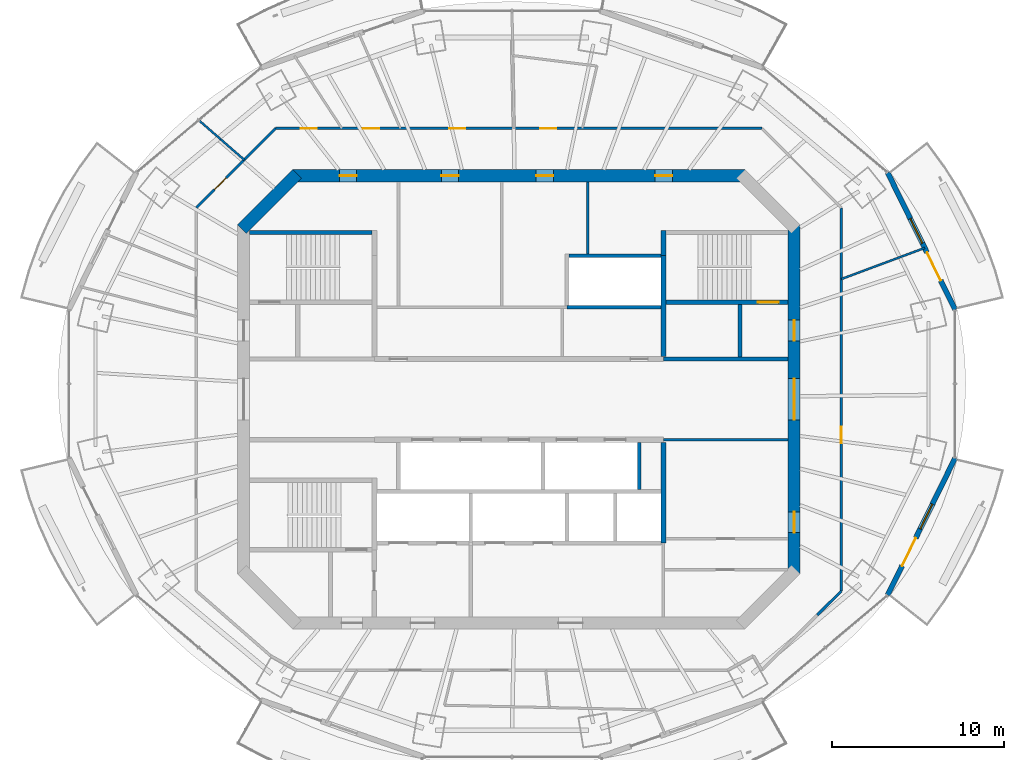
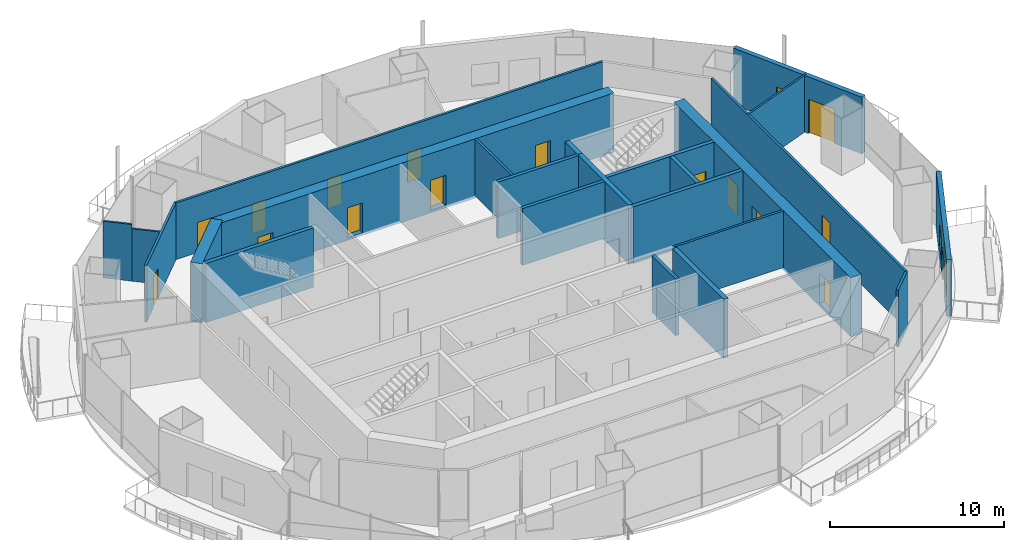
# One storey, part 10 of 16: 24 walls, 16 doors, 2 windows, 18 openings.
"""IFC4 building model written with IfcOpenShell, lengths in metres."""

from ifc_helpers import new_model, si_unit, direction, frame, frame_2d, origin, place, context, subcontext, project, spatial, rectangle, extrude, material, layer, layer_set, type_object, element, fill, save


model = new_model("IFC4")

# Units and contexts
model_context = context("Model", 3, precision=1e-05, world=origin(), true_north=direction((0.0, 1.0)))
body_context = subcontext(model_context, "Body", "Model", "MODEL_VIEW")
ifc_project = project(units=[si_unit("LENGTHUNIT", "METRE"), si_unit("AREAUNIT", "SQUARE_METRE"), si_unit("VOLUMEUNIT", "CUBIC_METRE"), si_unit("PLANEANGLEUNIT", "RADIAN"), si_unit("MASSUNIT", "GRAM", prefix="KILO")], contexts=[model_context])

# Site, building, storey
site_placement = place(None, origin())
site = spatial("IfcSite", under=ifc_project, at=site_placement, CompositionType="ELEMENT")
building_placement = place(site_placement, origin())
building = spatial("IfcBuilding", under=site, at=building_placement, Name="Marenthal Gate Tower", CompositionType="ELEMENT")
storey_placement = place(building_placement, frame((0.0, 0.0, 363.35009765625)))
storey = spatial("IfcBuildingStorey", under=building, at=storey_placement, Name="L82", CompositionType="ELEMENT", Elevation=363.35009765625)

# Wall, openings, doors
ifc_material_1 = material(Name="Concrete 60 MPa", Category="concrete")
ifc_layer_1 = layer(ifc_material_1, 0.699951171875)
ifc_layer_set_1 = layer_set([ifc_layer_1], Name="Core shear wall 700")
wall_type_1 = type_object("IfcWallType", Name="Core shear wall 700", PredefinedType="SHEAR", material=ifc_layer_set_1)
wall_1_placement = place(storey_placement, frame((16.0, -10.14501953125, -0.18017578125), z_axis=(0.0, 0.0, 1.0), x_axis=(0.0, 1.0, 0.0)))
wall_1 = element("IfcWall", 1, at=wall_1_placement, inside=storey, type_object=wall_type_1, Name="Core wall 02", PredefinedType="SHEAR", context=body_context, shape_type="SweptSolid", body=[
    extrude(rectangle(XDim=20.2900390625, YDim=0.699951171875, at=frame_2d((10.14501953125, 0.0))), origin(), (0.0, 0.0, 1.0), 4.150146484375),
])
opening_1_placement = place(wall_1_placement, frame((8.945068359375, 0.0, 0.179931640625)))
opening_1 = element("IfcOpeningElement", 2, at=opening_1_placement, cuts=wall_1, Name="Opening D003.02", PredefinedType="OPENING", context=body_context, shape_type="SweptSolid", body=[
    extrude(rectangle(XDim=2.39990234375, YDim=2.10009765625, at=frame_2d((1.199951171875, 1.050048828125))), frame((0.0, 0.35986328125, 0.0), z_axis=(0.0, -1.0, 0.0), x_axis=(1.0, 0.0, 0.0)), (0.0, 0.0, 1.0), 0.719970703125),
])
opening_2_placement = place(wall_1_placement, frame((13.544921875, 0.0, 0.179931640625)))
opening_2 = element("IfcOpeningElement", 3, at=opening_2_placement, cuts=wall_1, Name="Opening D001.05", PredefinedType="OPENING", context=body_context, shape_type="SweptSolid", body=[
    extrude(rectangle(XDim=1.199951171875, YDim=2.10009765625, at=frame_2d((0.60009765625, 1.050048828125))), frame((0.0, 0.35986328125, 0.0), z_axis=(0.0, -1.0, 0.0), x_axis=(1.0, 0.0, 0.0)), (0.0, 0.0, 1.0), 0.719970703125),
])
opening_3_placement = place(wall_1_placement, frame((2.39990234375, 0.0, 0.179931640625)))
opening_3 = element("IfcOpeningElement", 4, at=opening_3_placement, cuts=wall_1, Name="Opening D006.01", PredefinedType="OPENING", context=body_context, shape_type="SweptSolid", body=[
    extrude(rectangle(XDim=1.199951171875, YDim=2.10009765625, at=frame_2d((0.60009765625, 1.050048828125))), frame((0.0, 0.35986328125, 0.0), z_axis=(0.0, -1.0, 0.0), x_axis=(1.0, 0.0, 0.0)), (0.0, 0.0, 1.0), 0.719970703125),
])
ifc_material_2 = material(Name="Steel fire door", Category="steel")
door_type_1 = type_object("IfcDoorType", Name="Double fire door FD 45 2400 x 2100", OperationType="DOUBLE_DOOR_SINGLE_SWING", PredefinedType="DOOR", material=ifc_material_2)
door_1_placement = place(opening_1_placement, origin())
door_1 = element("IfcDoor", 5, at=door_1_placement, inside=storey, type_object=door_type_1, Name="Door D003.02", OperationType="DOUBLE_DOOR_SINGLE_SWING", OverallHeight=2.10009765625, OverallWidth=2.39990234375, PredefinedType="DOOR", context=body_context, shape_type="SweptSolid", body=[
    extrude(rectangle(XDim=2.39990234375, YDim=2.10009765625, at=frame_2d((1.199951171875, 1.050048828125))), frame((0.0, 0.02490234375, 0.0), z_axis=(0.0, -1.0, 0.0), x_axis=(1.0, 0.0, 0.0)), (0.0, 0.0, 1.0), 0.050048828125),
])
fill(opening_1, door_1)
ifc_material_3 = material(Name="Steel fire door", Category="steel")
door_type_2 = type_object("IfcDoorType", Name="Fire door FD 45 1200 x 2100", OperationType="NOTDEFINED", PredefinedType="DOOR", material=ifc_material_3)
door_2_placement = place(opening_3_placement, origin())
door_2 = element("IfcDoor", 6, at=door_2_placement, inside=storey, type_object=door_type_2, Name="Door D006.01", OperationType="SINGLE_SWING_RIGHT", OverallHeight=2.10009765625, OverallWidth=1.199951171875, PredefinedType="DOOR", context=body_context, shape_type="SweptSolid", body=[
    extrude(rectangle(XDim=1.199951171875, YDim=2.10009765625, at=frame_2d((0.60009765625, 1.050048828125))), frame((0.0, 0.02490234375, 0.0), z_axis=(0.0, -1.0, 0.0), x_axis=(1.0, 0.0, 0.0)), (0.0, 0.0, 1.0), 0.050048828125),
])
fill(opening_3, door_2)
ifc_material_4 = material(Name="Steel fire door", Category="steel")
door_type_3 = type_object("IfcDoorType", Name="Fire door FD 90 1200 x 2100", OperationType="NOTDEFINED", PredefinedType="DOOR", material=ifc_material_4)
door_3_placement = place(opening_2_placement, origin())
door_3 = element("IfcDoor", 7, at=door_3_placement, inside=storey, type_object=door_type_3, Name="Door D001.05", OperationType="SINGLE_SWING_RIGHT", OverallHeight=2.10009765625, OverallWidth=1.199951171875, PredefinedType="DOOR", context=body_context, shape_type="SweptSolid", body=[
    extrude(rectangle(XDim=1.199951171875, YDim=2.10009765625, at=frame_2d((0.60009765625, 1.050048828125))), frame((0.0, 0.02490234375, 0.0), z_axis=(0.0, -1.0, 0.0), x_axis=(1.0, 0.0, 0.0)), (0.0, 0.0, 1.0), 0.050048828125),
])
fill(opening_2, door_3)

wall_2_placement = place(storey_placement, frame((13.14501953125, 13.0, -0.18017578125), z_axis=(0.0, 0.0, 1.0), x_axis=(-1.0, 0.0, 0.0)))
wall_2 = element("IfcWall", 8, at=wall_2_placement, inside=storey, type_object=wall_type_1, Name="Core wall 04", PredefinedType="SHEAR", context=body_context, shape_type="SweptSolid", body=[
    extrude(rectangle(XDim=26.2900390625, YDim=0.699951171875, at=frame_2d((13.14501953125, 0.0))), origin(), (0.0, 0.0, 1.0), 4.150146484375),
])
opening_4_placement = place(wall_2_placement, frame((22.57275390625, 0.0, 0.179931640625)))
opening_4 = element("IfcOpeningElement", 9, at=opening_4_placement, cuts=wall_2, Name="Opening D005.03", PredefinedType="OPENING", context=body_context, shape_type="SweptSolid", body=[
    extrude(rectangle(XDim=1.0, YDim=2.10009765625, at=frame_2d((0.5, 1.050048828125))), frame((0.0, 0.35986328125, 0.0), z_axis=(0.0, -1.0, 0.0), x_axis=(1.0, 0.0, 0.0)), (0.0, 0.0, 1.0), 0.719970703125),
])
opening_5_placement = place(wall_2_placement, frame((16.64501953125, 0.0, 0.179931640625)))
opening_5 = element("IfcOpeningElement", 10, at=opening_5_placement, cuts=wall_2, Name="Opening D005.04", PredefinedType="OPENING", context=body_context, shape_type="SweptSolid", body=[
    extrude(rectangle(XDim=1.0, YDim=2.10009765625, at=frame_2d((0.5, 1.050048828125))), frame((0.0, 0.35986328125, 0.0), z_axis=(0.0, -1.0, 0.0), x_axis=(1.0, 0.0, 0.0)), (0.0, 0.0, 1.0), 0.719970703125),
])
opening_6_placement = place(wall_2_placement, frame((11.14501953125, 0.0, 0.179931640625)))
opening_6 = element("IfcOpeningElement", 11, at=opening_6_placement, cuts=wall_2, Name="Opening D005.05", PredefinedType="OPENING", context=body_context, shape_type="SweptSolid", body=[
    extrude(rectangle(XDim=1.0, YDim=2.10009765625, at=frame_2d((0.5, 1.050048828125))), frame((0.0, 0.35986328125, 0.0), z_axis=(0.0, -1.0, 0.0), x_axis=(1.0, 0.0, 0.0)), (0.0, 0.0, 1.0), 0.719970703125),
])
opening_7_placement = place(wall_2_placement, frame((4.21728515625, 0.0, 0.179931640625)))
opening_7 = element("IfcOpeningElement", 12, at=opening_7_placement, cuts=wall_2, Name="Opening D005.06", PredefinedType="OPENING", context=body_context, shape_type="SweptSolid", body=[
    extrude(rectangle(XDim=1.0, YDim=2.10009765625, at=frame_2d((0.5, 1.050048828125))), frame((0.0, 0.35986328125, 0.0), z_axis=(0.0, -1.0, 0.0), x_axis=(1.0, 0.0, 0.0)), (0.0, 0.0, 1.0), 0.719970703125),
])
ifc_material_5 = material(Name="Steel fire door", Category="steel")
door_type_4 = type_object("IfcDoorType", Name="Fire door FD 45 1000 x 2100", OperationType="NOTDEFINED", PredefinedType="DOOR", material=ifc_material_5)
door_4_placement = place(opening_4_placement, origin())
door_4 = element("IfcDoor", 13, at=door_4_placement, inside=storey, type_object=door_type_4, Name="Door D005.03", OperationType="SINGLE_SWING_RIGHT", OverallHeight=2.10009765625, OverallWidth=1.0, PredefinedType="DOOR", context=body_context, shape_type="SweptSolid", body=[
    extrude(rectangle(XDim=1.0, YDim=2.10009765625, at=frame_2d((0.5, 1.050048828125))), frame((0.0, 0.02490234375, 0.0), z_axis=(0.0, -1.0, 0.0), x_axis=(1.0, 0.0, 0.0)), (0.0, 0.0, 1.0), 0.050048828125),
])
fill(opening_4, door_4)
door_5_placement = place(opening_5_placement, origin())
door_5 = element("IfcDoor", 14, at=door_5_placement, inside=storey, type_object=door_type_4, Name="Door D005.04", OperationType="SINGLE_SWING_RIGHT", OverallHeight=2.10009765625, OverallWidth=1.0, PredefinedType="DOOR", context=body_context, shape_type="SweptSolid", body=[
    extrude(rectangle(XDim=1.0, YDim=2.10009765625, at=frame_2d((0.5, 1.050048828125))), frame((0.0, 0.02490234375, 0.0), z_axis=(0.0, -1.0, 0.0), x_axis=(1.0, 0.0, 0.0)), (0.0, 0.0, 1.0), 0.050048828125),
])
fill(opening_5, door_5)
door_6_placement = place(opening_6_placement, origin())
door_6 = element("IfcDoor", 15, at=door_6_placement, inside=storey, type_object=door_type_4, Name="Door D005.05", OperationType="SINGLE_SWING_RIGHT", OverallHeight=2.10009765625, OverallWidth=1.0, PredefinedType="DOOR", context=body_context, shape_type="SweptSolid", body=[
    extrude(rectangle(XDim=1.0, YDim=2.10009765625, at=frame_2d((0.5, 1.050048828125))), frame((0.0, 0.02490234375, 0.0), z_axis=(0.0, -1.0, 0.0), x_axis=(1.0, 0.0, 0.0)), (0.0, 0.0, 1.0), 0.050048828125),
])
fill(opening_6, door_6)
door_7_placement = place(opening_7_placement, origin())
door_7 = element("IfcDoor", 16, at=door_7_placement, inside=storey, type_object=door_type_4, Name="Door D005.06", OperationType="SINGLE_SWING_RIGHT", OverallHeight=2.10009765625, OverallWidth=1.0, PredefinedType="DOOR", context=body_context, shape_type="SweptSolid", body=[
    extrude(rectangle(XDim=1.0, YDim=2.10009765625, at=frame_2d((0.5, 1.050048828125))), frame((0.0, 0.02490234375, 0.0), z_axis=(0.0, -1.0, 0.0), x_axis=(1.0, 0.0, 0.0)), (0.0, 0.0, 1.0), 0.050048828125),
])
fill(opening_7, door_7)

# Walls
wall_3_placement = place(storey_placement, frame((-12.8974609375, 13.1025390625, -0.18017578125), z_axis=(0.0, 0.0, 1.0), x_axis=(-0.707106781187, -0.707106781187, 0.0)))
element("IfcWall", 17, at=wall_3_placement, inside=storey, type_object=wall_type_1, Name="Core wall 05", PredefinedType="SHEAR", context=body_context, shape_type="SweptSolid", body=[
    extrude(rectangle(XDim=4.53271484375, YDim=0.699951171875, at=frame_2d((2.266357421875, 0.0))), origin(), (0.0, 0.0, 1.0), 4.150146484375),
])
ifc_material_6 = material(Name="Concrete 50 MPa", Category="concrete")
ifc_layer_2 = layer(ifc_material_6, 0.300048828125)
ifc_layer_set_2 = layer_set([ifc_layer_2], Name="Hoistway shear wall 300")
wall_type_2 = type_object("IfcWallType", Name="Hoistway shear wall 300", PredefinedType="SHEAR", material=ifc_layer_set_2)
for number, where, z_axis, x_axis, name in (
    (18, (8.39990234375, -8.35009765625, -0.18017578125), (0.0, 0.0, 1.0), (0.0, 1.0, 0.0), "Hoistway wall 48"),
    (19, (8.39990234375, 2.5, -0.18017578125), (0.0, 0.0, 1.0), (0.0, 1.0, 0.0), "Hoistway wall 49"),
):
    element("IfcWall", number, at=place(storey_placement, frame(where, z_axis=z_axis, x_axis=x_axis)), inside=storey, type_object=wall_type_2, Name=name, PredefinedType="SHEAR", context=body_context, shape_type="SweptSolid", body=[
        extrude(rectangle(XDim=5.85009765625, YDim=0.300048828125, at=frame_2d((2.925048828125, 0.0))), origin(), (0.0, 0.0, 1.0), 4.150146484375),
    ])
ifc_material_7 = material(Name="Concrete 40 MPa", Category="concrete")
ifc_layer_3 = layer(ifc_material_7, 0.219970703125)
ifc_layer_set_3 = layer_set([ifc_layer_3], Name="Hoistway wall 220")
wall_type_3 = type_object("IfcWallType", Name="Hoistway wall 220", PredefinedType="STANDARD", material=ifc_layer_set_3)
wall_4_placement = place(storey_placement, frame((2.800048828125, 5.35009765625, 0.0), z_axis=(0.0, 0.0, 1.0), x_axis=(1.0, 0.0, 0.0)))
element("IfcWall", 20, at=wall_4_placement, inside=storey, type_object=wall_type_3, Name="Hoistway wall 23", PredefinedType="STANDARD", context=body_context, shape_type="SweptSolid", body=[
    extrude(rectangle(XDim=5.449951171875, YDim=0.219970703125, at=frame_2d((2.72509765625, 0.0))), origin(), (0.0, 0.0, 1.0), 3.969970703125),
])
wall_5_placement = place(storey_placement, frame((2.909912109375, 8.35009765625, 0.0), z_axis=(0.0, 0.0, 1.0), x_axis=(1.0, 0.0, 0.0)))
element("IfcWall", 21, at=wall_5_placement, inside=storey, type_object=wall_type_3, Name="Hoistway wall 26", PredefinedType="STANDARD", context=body_context, shape_type="SweptSolid", body=[
    extrude(rectangle(XDim=5.340087890625, YDim=0.219970703125, at=frame_2d((2.669921875, 0.0))), origin(), (0.0, 0.0, 1.0), 3.969970703125),
])
wall_6_placement = place(storey_placement, frame((7.0, -5.239990234375, 0.0), z_axis=(0.0, 0.0, 1.0), x_axis=(0.0, 1.0, 0.0)))
element("IfcWall", 22, at=wall_6_placement, inside=storey, type_object=wall_type_3, Name="Hoistway wall 46", PredefinedType="STANDARD", context=body_context, shape_type="SweptSolid", body=[
    extrude(rectangle(XDim=2.739990234375, YDim=0.219970703125, at=frame_2d((1.3701171875, 0.0))), origin(), (0.0, 0.0, 1.0), 3.969970703125),
])
ifc_material_8 = material(Name="Gypsum board on steel studs", Category="steel")
ifc_layer_4 = layer(ifc_material_8, 0.1201171875)
ifc_layer_set_4 = layer_set([ifc_layer_4], Name="Partition 120")
wall_type_4 = type_object("IfcWallType", Name="Partition 120", PredefinedType="PARTITIONING", material=ifc_layer_set_4)
wall_7_placement = place(storey_placement, frame((-15.965576171875, 13.923583984375, 0.0), z_axis=(0.0, 0.0, 1.0), x_axis=(-0.753716775668, 0.657199377721, 0.0)))
element("IfcWall", 23, at=wall_7_placement, inside=storey, type_object=wall_type_4, Name="Partition wall 56", PredefinedType="PARTITIONING", context=body_context, shape_type="SweptSolid", body=[
    extrude(rectangle(XDim=1.828857421875, YDim=0.1201171875, at=frame_2d((0.91455078125, 0.0))), origin(), (0.0, 0.0, 1.0), 3.66796875),
])
wall_8_placement = place(storey_placement, frame((-17.343994140625, 15.12548828125, 0.0), z_axis=(0.0, 0.0, 1.0), x_axis=(-0.753588886898, 0.657346019645, 0.0)))
element("IfcWall", 24, at=wall_8_placement, inside=storey, type_object=wall_type_4, Name="Partition wall 77", PredefinedType="PARTITIONING", context=body_context, shape_type="SweptSolid", body=[
    extrude(rectangle(XDim=1.68701171875, YDim=0.1201171875, at=frame_2d((0.843505859375, 0.0))), origin(), (0.0, 0.0, 1.0), 3.969970703125),
])
wall_9_placement = place(storey_placement, frame((18.75, 6.995361328125, 0.0), z_axis=(0.0, 0.0, 1.0), x_axis=(0.936919672461, 0.349544742994, 0.0)))
element("IfcWall", 25, at=wall_9_placement, inside=storey, type_object=wall_type_4, Name="Partition wall 75", PredefinedType="PARTITIONING", context=body_context, shape_type="SweptSolid", body=[
    extrude(rectangle(XDim=5.170654296875, YDim=0.1201171875, at=frame_2d((2.58544921875, 0.0))), origin(), (0.0, 0.0, 1.0), 3.969970703125),
])
ifc_material_9 = material(Name="Gypsum board on steel studs", Category="steel")
ifc_layer_5 = layer(ifc_material_9, 0.14990234375)
ifc_layer_set_5 = layer_set([ifc_layer_5], Name="Partition 150")
wall_type_5 = type_object("IfcWallType", Name="Partition 150", PredefinedType="PARTITIONING", material=ifc_layer_set_5)
wall_10_placement = place(storey_placement, frame((8.39990234375, -2.35009765625, 0.0), z_axis=(0.0, 0.0, 1.0), x_axis=(1.0, 0.0, 0.0)))
element("IfcWall", 26, at=wall_10_placement, inside=storey, type_object=wall_type_5, Name="Partition wall 18", PredefinedType="PARTITIONING", context=body_context, shape_type="SweptSolid", body=[
    extrude(rectangle(XDim=7.25, YDim=0.14990234375, at=frame_2d((3.625, 0.0))), origin(), (0.0, 0.0, 1.0), 3.969970703125),
])
wall_11_placement = place(storey_placement, frame((4.0, 8.4599609375, 0.0), z_axis=(0.0, 0.0, 1.0), x_axis=(0.0, 1.0, 0.0)))
element("IfcWall", 27, at=wall_11_placement, inside=storey, type_object=wall_type_5, Name="Partition wall 44", PredefinedType="PARTITIONING", context=body_context, shape_type="SweptSolid", body=[
    extrude(rectangle(XDim=4.18994140625, YDim=0.14990234375, at=frame_2d((2.094970703125, 0.0))), origin(), (0.0, 0.0, 1.0), 3.969970703125),
])

# Wall, opening, door
wall_12_placement = place(storey_placement, frame((-18.75, 11.13916015625, 0.0), z_axis=(0.0, 0.0, 1.0), x_axis=(0.707106781187, 0.707106781187, 0.0)))
wall_12 = element("IfcWall", 28, at=wall_12_placement, inside=storey, type_object=wall_type_5, Name="Partition wall 55", PredefinedType="PARTITIONING", context=body_context, shape_type="SweptSolid", body=[
    extrude(rectangle(XDim=6.520751953125, YDim=0.14990234375, at=frame_2d((3.26025390625, 0.0))), origin(), (0.0, 0.0, 1.0), 3.969970703125),
])
opening_8_placement = place(wall_12_placement, frame((1.493896484375, 0.0, 0.0)))
opening_8 = element("IfcOpeningElement", 29, at=opening_8_placement, cuts=wall_12, Name="Opening D016.05", PredefinedType="OPENING", context=body_context, shape_type="SweptSolid", body=[
    extrude(rectangle(XDim=0.949951171875, YDim=2.10009765625, at=frame_2d((0.47509765625, 1.050048828125))), frame((0.0, 0.0849609375, 0.0), z_axis=(0.0, -1.0, 0.0), x_axis=(1.0, 0.0, 0.0)), (0.0, 0.0, 1.0), 0.169921875),
])
ifc_material_10 = material(Name="Timber door", Category="wood")
door_type_5 = type_object("IfcDoorType", Name="Door 950 x 2100", OperationType="NOTDEFINED", PredefinedType="DOOR", material=ifc_material_10)
door_8_placement = place(opening_8_placement, origin())
door_8 = element("IfcDoor", 30, at=door_8_placement, inside=storey, type_object=door_type_5, Name="Door D016.05", OperationType="SINGLE_SWING_RIGHT", OverallHeight=2.10009765625, OverallWidth=0.949951171875, PredefinedType="DOOR", context=body_context, shape_type="SweptSolid", body=[
    extrude(rectangle(XDim=0.949951171875, YDim=2.10009765625, at=frame_2d((0.47509765625, 1.050048828125))), frame((0.0, 0.02490234375, 0.0), z_axis=(0.0, -1.0, 0.0), x_axis=(1.0, 0.0, 0.0)), (0.0, 0.0, 1.0), 0.050048828125),
])
fill(opening_8, door_8)

# Wall, openings, doors
wall_13_placement = place(storey_placement, frame((-14.13916015625, 15.75, 0.0), z_axis=(0.0, 0.0, 1.0), x_axis=(1.0, 0.0, 0.0)))
wall_13 = element("IfcWall", 31, at=wall_13_placement, inside=storey, type_object=wall_type_5, Name="Partition wall 58", PredefinedType="PARTITIONING", context=body_context, shape_type="SweptSolid", body=[
    extrude(rectangle(XDim=28.2783203125, YDim=0.14990234375, at=frame_2d((14.13916015625, 0.0))), origin(), (0.0, 0.0, 1.0), 3.969970703125),
])
opening_9_placement = place(wall_13_placement, frame((15.3701171875, 0.0, 0.0)))
opening_9 = element("IfcOpeningElement", 32, at=opening_9_placement, cuts=wall_13, Name="Opening D016.01", PredefinedType="OPENING", context=body_context, shape_type="SweptSolid", body=[
    extrude(rectangle(XDim=0.949951171875, YDim=2.10009765625, at=frame_2d((0.47509765625, 1.050048828125))), frame((0.0, 0.0849609375, 0.0), z_axis=(0.0, -1.0, 0.0), x_axis=(1.0, 0.0, 0.0)), (0.0, 0.0, 1.0), 0.169921875),
])
opening_10_placement = place(wall_13_placement, frame((10.0810546875, 0.0, 0.0)))
opening_10 = element("IfcOpeningElement", 33, at=opening_10_placement, cuts=wall_13, Name="Opening D016.02", PredefinedType="OPENING", context=body_context, shape_type="SweptSolid", body=[
    extrude(rectangle(XDim=0.949951171875, YDim=2.10009765625, at=frame_2d((0.47509765625, 1.050048828125))), frame((0.0, 0.0849609375, 0.0), z_axis=(0.0, -1.0, 0.0), x_axis=(1.0, 0.0, 0.0)), (0.0, 0.0, 1.0), 0.169921875),
])
opening_11_placement = place(wall_13_placement, frame((5.075927734375, 0.0, 0.0)))
opening_11 = element("IfcOpeningElement", 34, at=opening_11_placement, cuts=wall_13, Name="Opening D016.03", PredefinedType="OPENING", context=body_context, shape_type="SweptSolid", body=[
    extrude(rectangle(XDim=0.949951171875, YDim=2.10009765625, at=frame_2d((0.47509765625, 1.050048828125))), frame((0.0, 0.0849609375, 0.0), z_axis=(0.0, -1.0, 0.0), x_axis=(1.0, 0.0, 0.0)), (0.0, 0.0, 1.0), 0.169921875),
])
opening_12_placement = place(wall_13_placement, frame((1.449951171875, 0.0, 0.0)))
opening_12 = element("IfcOpeningElement", 35, at=opening_12_placement, cuts=wall_13, Name="Opening D016.04", PredefinedType="OPENING", context=body_context, shape_type="SweptSolid", body=[
    extrude(rectangle(XDim=0.949951171875, YDim=2.10009765625, at=frame_2d((0.47509765625, 1.050048828125))), frame((0.0, 0.0849609375, 0.0), z_axis=(0.0, -1.0, 0.0), x_axis=(1.0, 0.0, 0.0)), (0.0, 0.0, 1.0), 0.169921875),
])
door_9_placement = place(opening_9_placement, origin())
door_9 = element("IfcDoor", 36, at=door_9_placement, inside=storey, type_object=door_type_5, Name="Door D016.01", OperationType="SINGLE_SWING_RIGHT", OverallHeight=2.10009765625, OverallWidth=0.949951171875, PredefinedType="DOOR", context=body_context, shape_type="SweptSolid", body=[
    extrude(rectangle(XDim=0.949951171875, YDim=2.10009765625, at=frame_2d((0.47509765625, 1.050048828125))), frame((0.0, 0.02490234375, 0.0), z_axis=(0.0, -1.0, 0.0), x_axis=(1.0, 0.0, 0.0)), (0.0, 0.0, 1.0), 0.050048828125),
])
fill(opening_9, door_9)
door_10_placement = place(opening_10_placement, origin())
door_10 = element("IfcDoor", 37, at=door_10_placement, inside=storey, type_object=door_type_5, Name="Door D016.02", OperationType="SINGLE_SWING_RIGHT", OverallHeight=2.10009765625, OverallWidth=0.949951171875, PredefinedType="DOOR", context=body_context, shape_type="SweptSolid", body=[
    extrude(rectangle(XDim=0.949951171875, YDim=2.10009765625, at=frame_2d((0.47509765625, 1.050048828125))), frame((0.0, 0.02490234375, 0.0), z_axis=(0.0, -1.0, 0.0), x_axis=(1.0, 0.0, 0.0)), (0.0, 0.0, 1.0), 0.050048828125),
])
fill(opening_10, door_10)
door_11_placement = place(opening_11_placement, origin())
door_11 = element("IfcDoor", 38, at=door_11_placement, inside=storey, type_object=door_type_5, Name="Door D016.03", OperationType="SINGLE_SWING_RIGHT", OverallHeight=2.10009765625, OverallWidth=0.949951171875, PredefinedType="DOOR", context=body_context, shape_type="SweptSolid", body=[
    extrude(rectangle(XDim=0.949951171875, YDim=2.10009765625, at=frame_2d((0.47509765625, 1.050048828125))), frame((0.0, 0.02490234375, 0.0), z_axis=(0.0, -1.0, 0.0), x_axis=(1.0, 0.0, 0.0)), (0.0, 0.0, 1.0), 0.050048828125),
])
fill(opening_11, door_11)
door_12_placement = place(opening_12_placement, origin())
door_12 = element("IfcDoor", 39, at=door_12_placement, inside=storey, type_object=door_type_5, Name="Door D016.04", OperationType="SINGLE_SWING_RIGHT", OverallHeight=2.10009765625, OverallWidth=0.949951171875, PredefinedType="DOOR", context=body_context, shape_type="SweptSolid", body=[
    extrude(rectangle(XDim=0.949951171875, YDim=2.10009765625, at=frame_2d((0.47509765625, 1.050048828125))), frame((0.0, 0.02490234375, 0.0), z_axis=(0.0, -1.0, 0.0), x_axis=(1.0, 0.0, 0.0)), (0.0, 0.0, 1.0), 0.050048828125),
])
fill(opening_12, door_12)

# Wall
wall_14_placement = place(storey_placement, frame((18.75, -11.13916015625, 0.0), z_axis=(0.0, 0.0, 1.0), x_axis=(-0.708212689491, -0.70599914054, 0.0)))
element("IfcWall", 40, at=wall_14_placement, inside=storey, type_object=wall_type_5, Name="Partition wall 74", PredefinedType="PARTITIONING", context=body_context, shape_type="SweptSolid", body=[
    extrude(rectangle(XDim=1.9853515625, YDim=0.14990234375, at=frame_2d((0.99267578125, 0.0))), origin(), (0.0, 0.0, 1.0), 3.969970703125),
])

# Wall, opening, door
wall_15_placement = place(storey_placement, frame((18.75, 11.13916015625, 0.0), z_axis=(0.0, 0.0, 1.0), x_axis=(0.0, -1.0, 0.0)))
wall_15 = element("IfcWall", 41, at=wall_15_placement, inside=storey, type_object=wall_type_5, Name="Partition wall 76", PredefinedType="PARTITIONING", context=body_context, shape_type="SweptSolid", body=[
    extrude(rectangle(XDim=22.2783203125, YDim=0.14990234375, at=frame_2d((11.13916015625, 0.0))), origin(), (0.0, 0.0, 1.0), 3.969970703125),
])
opening_13_placement = place(wall_15_placement, frame((12.736083984375, 0.0, 0.0)))
opening_13 = element("IfcOpeningElement", 42, at=opening_13_placement, cuts=wall_15, Name="Opening D016.08", PredefinedType="OPENING", context=body_context, shape_type="SweptSolid", body=[
    extrude(rectangle(XDim=0.949951171875, YDim=2.10009765625, at=frame_2d((0.47509765625, 1.050048828125))), frame((0.0, 0.0849609375, 0.0), z_axis=(0.0, -1.0, 0.0), x_axis=(1.0, 0.0, 0.0)), (0.0, 0.0, 1.0), 0.169921875),
])
door_13_placement = place(opening_13_placement, origin())
door_13 = element("IfcDoor", 43, at=door_13_placement, inside=storey, type_object=door_type_5, Name="Door D016.08", OperationType="SINGLE_SWING_RIGHT", OverallHeight=2.10009765625, OverallWidth=0.949951171875, PredefinedType="DOOR", context=body_context, shape_type="SweptSolid", body=[
    extrude(rectangle(XDim=0.949951171875, YDim=2.10009765625, at=frame_2d((0.47509765625, 1.050048828125))), frame((0.0, 0.02490234375, 0.0), z_axis=(0.0, -1.0, 0.0), x_axis=(1.0, 0.0, 0.0)), (0.0, 0.0, 1.0), 0.050048828125),
])
fill(opening_13, door_13)

# Walls
ifc_material_11 = material(Name="Concrete 40 MPa", Category="concrete")
ifc_layer_6 = layer(ifc_material_11, 0.25)
ifc_layer_set_6 = layer_set([ifc_layer_6], Name="Stair enclosure wall 250")
wall_type_6 = type_object("IfcWallType", Name="Stair enclosure wall 250", PredefinedType="STANDARD", material=ifc_layer_set_6)
wall_16_placement = place(storey_placement, frame((8.39990234375, 2.35009765625, 0.0), z_axis=(0.0, 0.0, 1.0), x_axis=(1.0, 0.0, 0.0)))
element("IfcWall", 44, at=wall_16_placement, inside=storey, type_object=wall_type_6, Name="Stair wall 21", PredefinedType="STANDARD", context=body_context, shape_type="SweptSolid", body=[
    extrude(rectangle(XDim=7.25, YDim=0.25, at=frame_2d((3.625, 0.0))), origin(), (0.0, 0.0, 1.0), 3.969970703125),
])
wall_17_placement = place(storey_placement, frame((12.85009765625, 2.47509765625, 0.0), z_axis=(0.0, 0.0, 1.0), x_axis=(0.0, 1.0, 0.0)))
element("IfcWall", 45, at=wall_17_placement, inside=storey, type_object=wall_type_6, Name="Stair wall 51", PredefinedType="STANDARD", context=body_context, shape_type="SweptSolid", body=[
    extrude(rectangle(XDim=3.0498046875, YDim=0.25, at=frame_2d((1.52490234375, 0.0))), origin(), (0.0, 0.0, 1.0), 3.969970703125),
])

# Wall, opening, door
ifc_material_12 = material(Name="Concrete 50 MPa", Category="concrete")
ifc_layer_7 = layer(ifc_material_12, 0.25)
ifc_layer_set_7 = layer_set([ifc_layer_7], Name="Stair shear wall 250")
wall_type_7 = type_object("IfcWallType", Name="Stair shear wall 250", PredefinedType="SHEAR", material=ifc_layer_set_7)
wall_18_placement = place(storey_placement, frame((8.550048828125, 5.64990234375, -0.18017578125), z_axis=(0.0, 0.0, 1.0), x_axis=(1.0, 0.0, 0.0)))
wall_18 = element("IfcWall", 46, at=wall_18_placement, inside=storey, type_object=wall_type_7, Name="Stair wall 25", PredefinedType="SHEAR", context=body_context, shape_type="SweptSolid", body=[
    extrude(rectangle(XDim=7.099853515625, YDim=0.25, at=frame_2d((3.5498046875, 0.0))), origin(), (0.0, 0.0, 1.0), 4.150146484375),
])
opening_14_placement = place(wall_18_placement, frame((5.35009765625, 0.0, 0.179931640625)))
opening_14 = element("IfcOpeningElement", 47, at=opening_14_placement, cuts=wall_18, Name="Opening D001.02", PredefinedType="OPENING", context=body_context, shape_type="SweptSolid", body=[
    extrude(rectangle(XDim=1.199951171875, YDim=2.10009765625, at=frame_2d((0.60009765625, 1.050048828125))), frame((0.0, 0.135009765625, 0.0), z_axis=(0.0, -1.0, 0.0), x_axis=(1.0, 0.0, 0.0)), (0.0, 0.0, 1.0), 0.27001953125),
])
door_14_placement = place(opening_14_placement, origin())
door_14 = element("IfcDoor", 48, at=door_14_placement, inside=storey, type_object=door_type_3, Name="Door D001.02", OperationType="SINGLE_SWING_RIGHT", OverallHeight=2.10009765625, OverallWidth=1.199951171875, PredefinedType="DOOR", context=body_context, shape_type="SweptSolid", body=[
    extrude(rectangle(XDim=1.199951171875, YDim=2.10009765625, at=frame_2d((0.60009765625, 1.050048828125))), frame((0.0, 0.02490234375, 0.0), z_axis=(0.0, -1.0, 0.0), x_axis=(1.0, 0.0, 0.0)), (0.0, 0.0, 1.0), 0.050048828125),
])
fill(opening_14, door_14)

# Walls
wall_19_placement = place(storey_placement, frame((-15.64990234375, 9.699951171875, -0.18017578125), z_axis=(0.0, 0.0, 1.0), x_axis=(1.0, 0.0, 0.0)))
element("IfcWall", 49, at=wall_19_placement, inside=storey, type_object=wall_type_7, Name="Stair wall 27", PredefinedType="SHEAR", context=body_context, shape_type="SweptSolid", body=[
    extrude(rectangle(XDim=7.099853515625, YDim=0.25, at=frame_2d((3.5498046875, 0.0))), origin(), (0.0, 0.0, 1.0), 4.150146484375),
])
ifc_material_13 = material(Name="Concrete 50 MPa", Category="concrete")
ifc_layer_8 = layer(ifc_material_13, 0.300048828125)
ifc_layer_set_8 = layer_set([ifc_layer_8], Name="Stair shear wall 300")
wall_type_8 = type_object("IfcWallType", Name="Stair shear wall 300", PredefinedType="SHEAR", material=ifc_layer_set_8)
wall_20_placement = place(storey_placement, frame((8.39990234375, 8.35009765625, -0.18017578125), z_axis=(0.0, 0.0, 1.0), x_axis=(0.0, 1.0, 0.0)))
element("IfcWall", 50, at=wall_20_placement, inside=storey, type_object=wall_type_8, Name="Stair wall 50", PredefinedType="SHEAR", context=body_context, shape_type="SweptSolid", body=[
    extrude(rectangle(XDim=1.474853515625, YDim=0.300048828125, at=frame_2d((0.7373046875, 0.0))), origin(), (0.0, 0.0, 1.0), 4.150146484375),
])

# Wall, openings, door, window
ifc_material_14 = material(Name="Terracotta cladding on insulated concrete-block backing", Category="masonry")
ifc_layer_9 = layer(ifc_material_14, 0.300048828125)
ifc_layer_set_9 = layer_set([ifc_layer_9], Name="Terracotta facade wall 300")
wall_type_9 = type_object("IfcWallType", Name="Terracotta facade wall 300", PredefinedType="SOLIDWALL", material=ifc_layer_set_9)
wall_21_placement = place(storey_placement, frame((25.3603515625, 5.213623046875, 0.0), z_axis=(0.0, 0.0, 1.0), x_axis=(-0.441487983718, 0.897267162128, 0.0)))
wall_21 = element("IfcWall", 51, at=wall_21_placement, inside=storey, type_object=wall_type_9, Name="Terracotta facade wall L82 bay 1", PredefinedType="SOLIDWALL", context=body_context, shape_type="SweptSolid", body=[
    extrude(rectangle(XDim=8.88330078125, YDim=0.300048828125, at=frame_2d((4.441650390625, 0.0))), origin(), (0.0, 0.0, 1.0), 3.969970703125),
])
opening_15_placement = place(wall_21_placement, frame((1.89990234375, 0.0, 0.0)))
opening_15 = element("IfcOpeningElement", 52, at=opening_15_placement, cuts=wall_21, Name="Opening BD-L82-01", PredefinedType="OPENING", context=body_context, shape_type="SweptSolid", body=[
    extrude(rectangle(XDim=1.800048828125, YDim=2.39990234375, at=frame_2d((0.89990234375, 1.199951171875))), frame((0.0, 0.16015625, 0.0), z_axis=(0.0, -1.0, 0.0), x_axis=(1.0, 0.0, 0.0)), (0.0, 0.0, 1.0), 0.320068359375),
])
opening_16_placement = place(wall_21_placement, frame((4.300048828125, 0.0, 0.89990234375)))
opening_16 = element("IfcOpeningElement", 53, at=opening_16_placement, cuts=wall_21, Name="Opening WN3-L82-01", PredefinedType="OPENING", context=body_context, shape_type="SweptSolid", body=[
    extrude(rectangle(XDim=1.60009765625, YDim=1.5, at=frame_2d((0.800048828125, 0.75))), frame((0.0, 0.16015625, 0.0), z_axis=(0.0, -1.0, 0.0), x_axis=(1.0, 0.0, 0.0)), (0.0, 0.0, 1.0), 0.320068359375),
])
ifc_material_15 = material(Name="Aluminium and glass", Category="aluminium")
door_type_6 = type_object("IfcDoorType", Name="Balcony door 1800x2400", OperationType="DOUBLE_DOOR_SINGLE_SWING", PredefinedType="DOOR", material=ifc_material_15)
door_15_placement = place(opening_15_placement, origin())
door_15 = element("IfcDoor", 54, at=door_15_placement, inside=storey, type_object=door_type_6, Name="Balcony door L82 bay 1", OperationType="SINGLE_SWING_LEFT", OverallHeight=2.39990234375, OverallWidth=1.800048828125, PredefinedType="DOOR", context=body_context, shape_type="SweptSolid", body=[
    extrude(rectangle(XDim=1.800048828125, YDim=2.39990234375, at=frame_2d((0.89990234375, 1.199951171875))), frame((0.0, 0.02490234375, 0.0), z_axis=(0.0, -1.0, 0.0), x_axis=(1.0, 0.0, 0.0)), (0.0, 0.0, 1.0), 0.050048828125),
])
fill(opening_15, door_15)
ifc_material_16 = material(Name="Aluminium and glass", Category="aluminium")
window_type = type_object("IfcWindowType", Name="Window 1600x1500", PartitioningType="DOUBLE_PANEL_VERTICAL", PredefinedType="WINDOW", material=ifc_material_16)
window_1_placement = place(opening_16_placement, origin())
window_1 = element("IfcWindow", 55, at=window_1_placement, inside=storey, type_object=window_type, Name="Window L82 bay 1", OverallHeight=1.5, OverallWidth=1.60009765625, PartitioningType="SINGLE_PANEL", PredefinedType="WINDOW", context=body_context, shape_type="SweptSolid", body=[
    extrude(rectangle(XDim=1.60009765625, YDim=1.5, at=frame_2d((0.800048828125, 0.75))), frame((0.0, 0.030029296875, 0.0), z_axis=(0.0, -1.0, 0.0), x_axis=(1.0, 0.0, 0.0)), (0.0, 0.0, 1.0), 0.06005859375),
])
fill(opening_16, window_1)

wall_22_placement = place(storey_placement, frame((21.4384765625, -11.38427734375, 0.0), z_axis=(0.0, 0.0, 1.0), x_axis=(0.441487983718, 0.897267162128, 0.0)))
wall_22 = element("IfcWall", 56, at=wall_22_placement, inside=storey, type_object=wall_type_9, Name="Terracotta facade wall L82 bay 15", PredefinedType="SOLIDWALL", context=body_context, shape_type="SweptSolid", body=[
    extrude(rectangle(XDim=8.88330078125, YDim=0.300048828125, at=frame_2d((4.441650390625, 0.0))), origin(), (0.0, 0.0, 1.0), 3.969970703125),
])
opening_17_placement = place(wall_22_placement, frame((1.89990234375, 0.0, 0.0)))
opening_17 = element("IfcOpeningElement", 57, at=opening_17_placement, cuts=wall_22, Name="Opening BD-L82-15", PredefinedType="OPENING", context=body_context, shape_type="SweptSolid", body=[
    extrude(rectangle(XDim=1.800048828125, YDim=2.39990234375, at=frame_2d((0.89990234375, 1.199951171875))), frame((0.0, 0.16015625, 0.0), z_axis=(0.0, -1.0, 0.0), x_axis=(1.0, 0.0, 0.0)), (0.0, 0.0, 1.0), 0.320068359375),
])
opening_18_placement = place(wall_22_placement, frame((4.300048828125, 0.0, 0.89990234375)))
opening_18 = element("IfcOpeningElement", 58, at=opening_18_placement, cuts=wall_22, Name="Opening WN3-L82-15", PredefinedType="OPENING", context=body_context, shape_type="SweptSolid", body=[
    extrude(rectangle(XDim=1.60009765625, YDim=1.5, at=frame_2d((0.800048828125, 0.75))), frame((0.0, 0.16015625, 0.0), z_axis=(0.0, -1.0, 0.0), x_axis=(1.0, 0.0, 0.0)), (0.0, 0.0, 1.0), 0.320068359375),
])
door_16_placement = place(opening_17_placement, origin())
door_16 = element("IfcDoor", 59, at=door_16_placement, inside=storey, type_object=door_type_6, Name="Balcony door L82 bay 15", OperationType="SINGLE_SWING_LEFT", OverallHeight=2.39990234375, OverallWidth=1.800048828125, PredefinedType="DOOR", context=body_context, shape_type="SweptSolid", body=[
    extrude(rectangle(XDim=1.800048828125, YDim=2.39990234375, at=frame_2d((0.89990234375, 1.199951171875))), frame((0.0, 0.02490234375, 0.0), z_axis=(0.0, -1.0, 0.0), x_axis=(1.0, 0.0, 0.0)), (0.0, 0.0, 1.0), 0.050048828125),
])
fill(opening_17, door_16)
window_2_placement = place(opening_18_placement, origin())
window_2 = element("IfcWindow", 60, at=window_2_placement, inside=storey, type_object=window_type, Name="Window L82 bay 15", OverallHeight=1.5, OverallWidth=1.60009765625, PartitioningType="SINGLE_PANEL", PredefinedType="WINDOW", context=body_context, shape_type="SweptSolid", body=[
    extrude(rectangle(XDim=1.60009765625, YDim=1.5, at=frame_2d((0.800048828125, 0.75))), frame((0.0, 0.030029296875, 0.0), z_axis=(0.0, -1.0, 0.0), x_axis=(1.0, 0.0, 0.0)), (0.0, 0.0, 1.0), 0.06005859375),
])
fill(opening_18, window_2)

save(model, "model.ifc")
